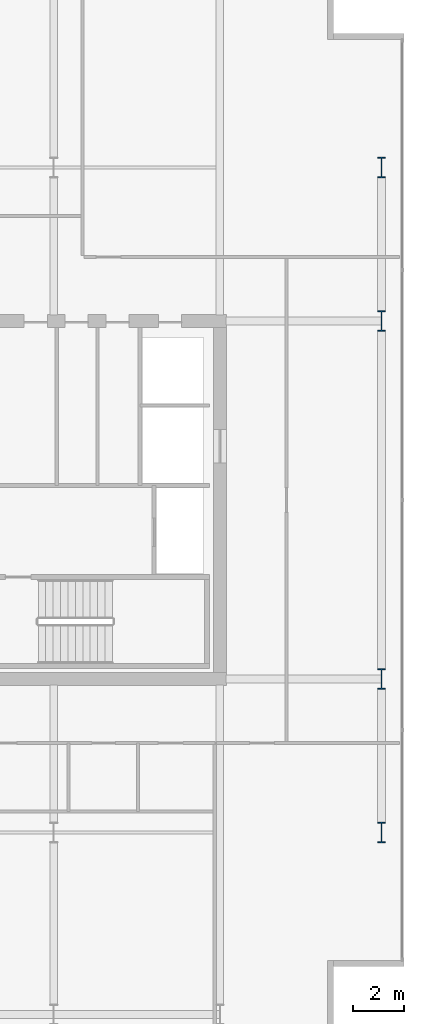
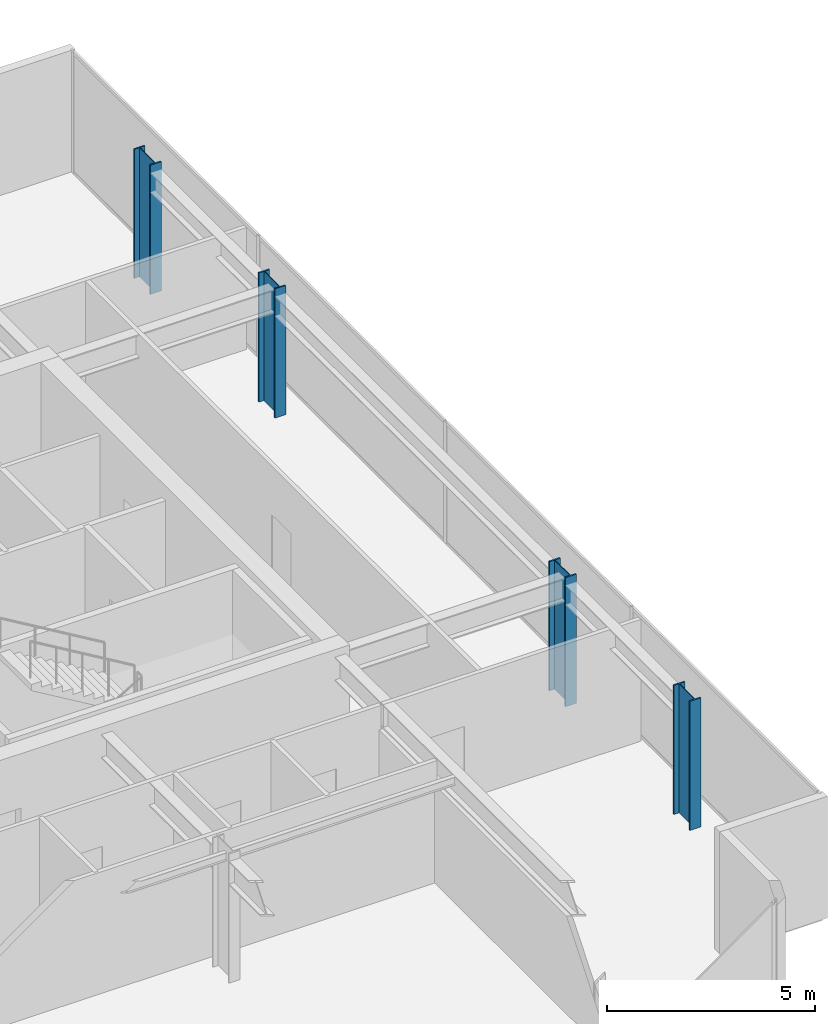
# One storey, part 2 of 23: 4 columns.
"""IFC4 building model written with IfcOpenShell, lengths in metres."""

from ifc_helpers import new_model, si_unit, direction, frame, origin, origin_2d, place, context, subcontext, project, spatial, i_section, extrude, material, material_profile, profile_set, type_object, element, save


model = new_model("IFC4")

# Units and contexts
model_context = context("Model", 3, precision=1e-05, world=origin(), true_north=direction((0.0, 1.0)))
body_context = subcontext(model_context, "Body", "Model", "MODEL_VIEW")
ifc_project = project(units=[si_unit("LENGTHUNIT", "METRE"), si_unit("AREAUNIT", "SQUARE_METRE"), si_unit("VOLUMEUNIT", "CUBIC_METRE"), si_unit("PLANEANGLEUNIT", "RADIAN"), si_unit("MASSUNIT", "GRAM", prefix="KILO")], contexts=[model_context])

# Site, building, storey
site_placement = place(None, origin())
site = spatial("IfcSite", under=ifc_project, at=site_placement, CompositionType="ELEMENT")
building_placement = place(site_placement, origin())
building = spatial("IfcBuilding", under=site, at=building_placement, Name="Putna Gate Headquarters", CompositionType="ELEMENT")
storey_placement = place(building_placement, frame((0.0, 0.0, 221.39990234375)))
storey = spatial("IfcBuildingStorey", under=building, at=storey_placement, Name="L55", CompositionType="ELEMENT", Elevation=221.39990234375)

# Columns
ifc_material = material(Name="Steel S460M", Category="steel")
ifc_material_profile = material_profile(ifc_material, i_section(OverallWidth=0.302978515625, OverallDepth=0.81396484375, WebThickness=0.02099609375, FlangeThickness=0.0400390625, at=origin_2d()), Name="Steel S460M")
ifc_profile_set = profile_set([ifc_material_profile], Name="Steel S460M")
column_type = type_object("IfcColumnType", Name="COL-STL-HEM800-EXT", PredefinedType="COLUMN", material=ifc_profile_set)
for number, where, z_axis, x_axis, name in (
    (1, (71.320068359375, 13.0, 0.0), (0.0, 0.0, 1.0), (1.0, 0.0, 0.0), "L55 Column CP-E13"),
    (2, (71.320068359375, 19.0, 0.0), (0.0, 0.0, 1.0), (1.0, 0.0, 0.0), "L55 Column CP-E19"),
    (3, (71.320068359375, 33.0, 0.0), (0.0, 0.0, 1.0), (1.0, 0.0, 0.0), "L55 Column CP-E33"),
    (4, (71.320068359375, 39.0, 0.0), (0.0, 0.0, 1.0), (1.0, 0.0, 0.0), "L55 Column CP-E39"),
):
    element("IfcColumn", number, at=place(storey_placement, frame(where, z_axis=z_axis, x_axis=x_axis)), inside=storey, type_object=column_type, Name=name, PredefinedType="COLUMN", context=body_context, shape_type="SweptSolid", body=[
        extrude(i_section(OverallWidth=0.302978515625, OverallDepth=0.81396484375, WebThickness=0.02099609375, FlangeThickness=0.0400390625, at=origin_2d()), origin(), (0.0, 0.0, 1.0), 3.800048828125),
    ])

save(model, "model.ifc")
